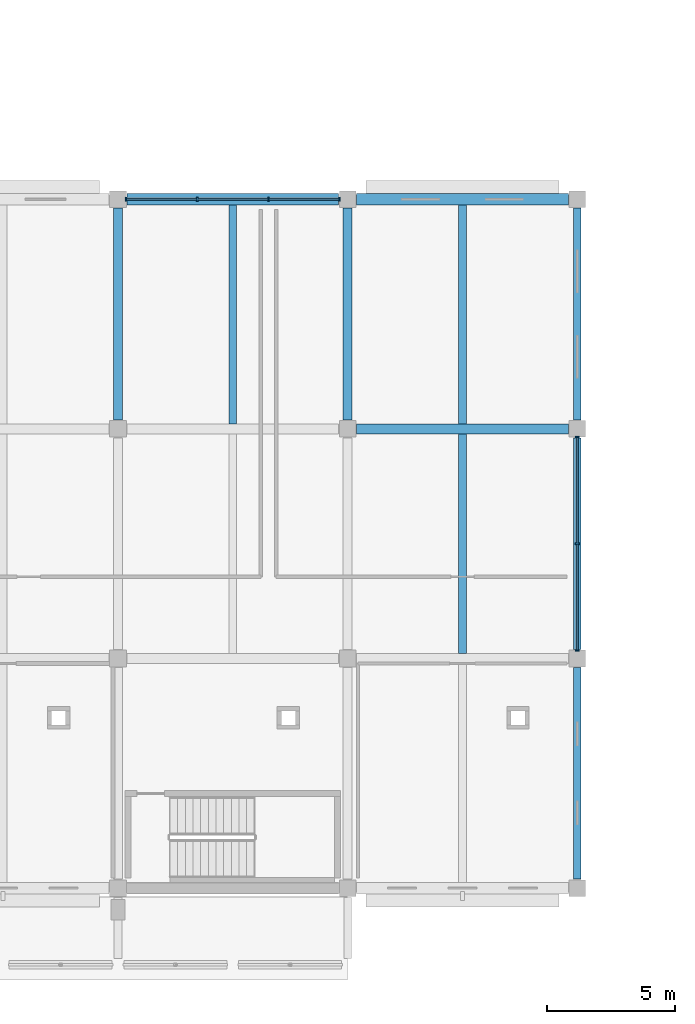
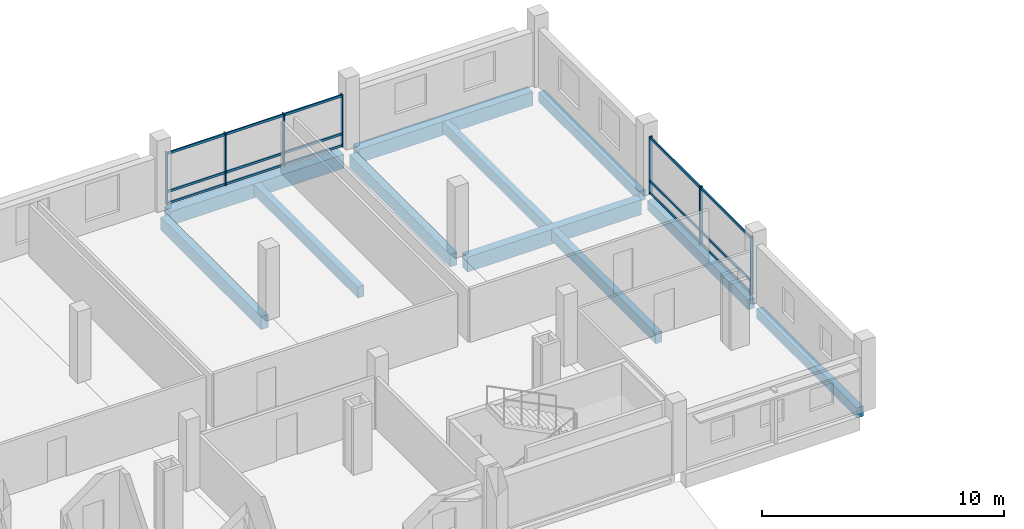
# One storey, part 42 of 132: 22 members, 11 beams, 2 elements without a shape of their own.
"""IFC4 building model written with IfcOpenShell, lengths in metres."""

from ifc_helpers import new_model, si_unit, direction, frame, origin, origin_2d, place, context, subcontext, project, spatial, rectangle, extrude, material, material_profile, profile_set, type_object, element, aggregate, save


model = new_model("IFC4")

# Units and contexts
model_context = context("Model", 3, precision=1e-05, world=origin(), true_north=direction((0.0, 1.0)))
body_context = subcontext(model_context, "Body", "Model", "MODEL_VIEW")
ifc_project = project(units=[si_unit("LENGTHUNIT", "METRE"), si_unit("AREAUNIT", "SQUARE_METRE"), si_unit("VOLUMEUNIT", "CUBIC_METRE"), si_unit("PLANEANGLEUNIT", "RADIAN"), si_unit("MASSUNIT", "GRAM", prefix="KILO")], contexts=[model_context])

# Site, building, storey
site_placement = place(None, origin())
site = spatial("IfcSite", under=ifc_project, at=site_placement, CompositionType="ELEMENT")
building_placement = place(site_placement, origin())
building = spatial("IfcBuilding", under=site, at=building_placement, Name="Tharagai Park Tramway Depot", CompositionType="ELEMENT")
storey_placement = place(building_placement, frame((0.0, 0.0, 4.800048828125)))
storey = spatial("IfcBuildingStorey", under=building, at=storey_placement, Name="L01", CompositionType="ELEMENT", Elevation=4.800048828125)

# Beams
ifc_material_1 = material(Name="Concrete M35", Category="concrete")
ifc_material_profile_1 = material_profile(ifc_material_1, rectangle(XDim=0.35009765625, YDim=0.64990234375, at=origin_2d()), Name="RC 350x650")
ifc_profile_set_1 = profile_set([ifc_material_profile_1], Name="Concrete M35")
beam_type_1 = type_object("IfcBeamType", Name="BM-13", PredefinedType="BEAM", material=ifc_profile_set_1)
for number, where, z_axis, x_axis, name in (
    (1, (81.0, 18.35009765625, -0.574951171875), (0.0, 1.0, 0.0), (-1.0, 0.0, 0.0), "L01 Grid Beam BM-13"),
    (2, (90.0, 18.35009765625, -0.574951171875), (0.0, 1.0, 0.0), (-1.0, 0.0, 0.0), "L01 Grid Beam BM-13"),
):
    element("IfcBeam", number, at=place(storey_placement, frame(where, z_axis=z_axis, x_axis=x_axis)), inside=storey, type_object=beam_type_1, Name=name, PredefinedType="BEAM", context=body_context, shape_type="SweptSolid", body=[
        extrude(rectangle(XDim=0.35009765625, YDim=0.64990234375, at=origin_2d()), origin(), (0.0, 0.0, 1.0), 8.2998046875),
    ])
ifc_material_profile_2 = material_profile(ifc_material_1, rectangle(XDim=0.39990234375, YDim=0.75, at=origin_2d()), Name="RC 400x750")
ifc_profile_set_2 = profile_set([ifc_material_profile_2], Name="Concrete M35")
beam_type_2 = type_object("IfcBeamType", Name="BM-19", PredefinedType="BEAM", material=ifc_profile_set_2)
beam_1_placement = place(storey_placement, frame((90.35009765625, 18.0, -0.625), z_axis=(1.0, 0.0, 0.0), x_axis=(0.0, 1.0, 0.0)))
element("IfcBeam", 3, at=beam_1_placement, inside=storey, type_object=beam_type_2, Name="L01 Grid Beam BM-19", PredefinedType="BEAM", context=body_context, shape_type="SweptSolid", body=[
    extrude(rectangle(XDim=0.39990234375, YDim=0.75, at=origin_2d()), origin(), (0.0, 0.0, 1.0), 8.2998046875),
])

# Curtain wall, members
ifc_material_2 = material(Name="Anodised aluminium", Category="aluminium")
curtain_wall_type_1 = type_object("IfcCurtainWallType", Name="CW-01", PredefinedType="NOTDEFINED", material=ifc_material_2)
curtain_wall_1_placement = place(storey_placement, origin())
curtain_wall_1 = element("IfcCurtainWall", 4, at=curtain_wall_1_placement, inside=storey, type_object=curtain_wall_type_1, Name="L01 V4 Gothic Mullioned Curtain Wall CW-01", PredefinedType="NOTDEFINED")
ifc_material_profile_3 = material_profile(ifc_material_2, rectangle(XDim=0.06494140625, YDim=0.1201171875, at=origin_2d()), Name="ALU 65x120")
ifc_profile_set_3 = profile_set([ifc_material_profile_3], Name="Anodised aluminium")
member_type_1 = type_object("IfcMemberType", Name="CM-01", PredefinedType="USERDEFINED", material=ifc_profile_set_3)
member_1_placement = place(storey_placement, frame((81.330078125, 27.0, 0.06005859375), z_axis=(1.0, 0.0, 0.0), x_axis=(0.0, 1.0, 0.0)))
member_1 = element("IfcMember", 5, at=member_1_placement, type_object=member_type_1, Name="L01 V4 Gothic Mullioned Curtain Wall Transom 1.1", ObjectType="TRANSOM", PredefinedType="USERDEFINED", context=body_context, shape_type="SweptSolid", body=[
    extrude(rectangle(XDim=0.06494140625, YDim=0.1201171875, at=origin_2d()), origin(), (0.0, 0.0, 1.0), 2.760009765625),
])
member_2_placement = place(storey_placement, frame((81.330078125, 27.0, 0.64990234375), z_axis=(1.0, 0.0, 0.0), x_axis=(0.0, 1.0, 0.0)))
member_2 = element("IfcMember", 6, at=member_2_placement, type_object=member_type_1, Name="L01 V4 Gothic Mullioned Curtain Wall Transom 1.2", ObjectType="TRANSOM", PredefinedType="USERDEFINED", context=body_context, shape_type="SweptSolid", body=[
    extrude(rectangle(XDim=0.06494140625, YDim=0.1201171875, at=origin_2d()), origin(), (0.0, 0.0, 1.0), 2.760009765625),
])
member_3_placement = place(storey_placement, frame((81.330078125, 27.0, 2.570068359375), z_axis=(1.0, 0.0, 0.0), x_axis=(0.0, 1.0, 0.0)))
member_3 = element("IfcMember", 7, at=member_3_placement, type_object=member_type_1, Name="L01 V4 Gothic Mullioned Curtain Wall Transom 1.3", ObjectType="TRANSOM", PredefinedType="USERDEFINED", context=body_context, shape_type="SweptSolid", body=[
    extrude(rectangle(XDim=0.06494140625, YDim=0.1201171875, at=origin_2d()), origin(), (0.0, 0.0, 1.0), 2.760009765625),
])
member_4_placement = place(storey_placement, frame((84.1201171875, 27.0, 0.06005859375), z_axis=(1.0, 0.0, 0.0), x_axis=(0.0, 1.0, 0.0)))
member_4 = element("IfcMember", 8, at=member_4_placement, type_object=member_type_1, Name="L01 V4 Gothic Mullioned Curtain Wall Transom 2.1", ObjectType="TRANSOM", PredefinedType="USERDEFINED", context=body_context, shape_type="SweptSolid", body=[
    extrude(rectangle(XDim=0.06494140625, YDim=0.1201171875, at=origin_2d()), origin(), (0.0, 0.0, 1.0), 2.759765625),
])
member_5_placement = place(storey_placement, frame((84.1201171875, 27.0, 0.64990234375), z_axis=(1.0, 0.0, 0.0), x_axis=(0.0, 1.0, 0.0)))
member_5 = element("IfcMember", 9, at=member_5_placement, type_object=member_type_1, Name="L01 V4 Gothic Mullioned Curtain Wall Transom 2.2", ObjectType="TRANSOM", PredefinedType="USERDEFINED", context=body_context, shape_type="SweptSolid", body=[
    extrude(rectangle(XDim=0.06494140625, YDim=0.1201171875, at=origin_2d()), origin(), (0.0, 0.0, 1.0), 2.759765625),
])
member_6_placement = place(storey_placement, frame((84.1201171875, 27.0, 2.570068359375), z_axis=(1.0, 0.0, 0.0), x_axis=(0.0, 1.0, 0.0)))
member_6 = element("IfcMember", 10, at=member_6_placement, type_object=member_type_1, Name="L01 V4 Gothic Mullioned Curtain Wall Transom 2.3", ObjectType="TRANSOM", PredefinedType="USERDEFINED", context=body_context, shape_type="SweptSolid", body=[
    extrude(rectangle(XDim=0.06494140625, YDim=0.1201171875, at=origin_2d()), origin(), (0.0, 0.0, 1.0), 2.759765625),
])
member_7_placement = place(storey_placement, frame((86.909912109375, 27.0, 0.06005859375), z_axis=(1.0, 0.0, 0.0), x_axis=(0.0, 1.0, 0.0)))
member_7 = element("IfcMember", 11, at=member_7_placement, type_object=member_type_1, Name="L01 V4 Gothic Mullioned Curtain Wall Transom 3.1", ObjectType="TRANSOM", PredefinedType="USERDEFINED", context=body_context, shape_type="SweptSolid", body=[
    extrude(rectangle(XDim=0.06494140625, YDim=0.1201171875, at=origin_2d()), origin(), (0.0, 0.0, 1.0), 2.760009765625),
])
member_8_placement = place(storey_placement, frame((86.909912109375, 27.0, 0.64990234375), z_axis=(1.0, 0.0, 0.0), x_axis=(0.0, 1.0, 0.0)))
member_8 = element("IfcMember", 12, at=member_8_placement, type_object=member_type_1, Name="L01 V4 Gothic Mullioned Curtain Wall Transom 3.2", ObjectType="TRANSOM", PredefinedType="USERDEFINED", context=body_context, shape_type="SweptSolid", body=[
    extrude(rectangle(XDim=0.06494140625, YDim=0.1201171875, at=origin_2d()), origin(), (0.0, 0.0, 1.0), 2.760009765625),
])
member_9_placement = place(storey_placement, frame((86.909912109375, 27.0, 2.570068359375), z_axis=(1.0, 0.0, 0.0), x_axis=(0.0, 1.0, 0.0)))
member_9 = element("IfcMember", 13, at=member_9_placement, type_object=member_type_1, Name="L01 V4 Gothic Mullioned Curtain Wall Transom 3.3", ObjectType="TRANSOM", PredefinedType="USERDEFINED", context=body_context, shape_type="SweptSolid", body=[
    extrude(rectangle(XDim=0.06494140625, YDim=0.1201171875, at=origin_2d()), origin(), (0.0, 0.0, 1.0), 2.760009765625),
])

curtain_wall_type_2 = type_object("IfcCurtainWallType", Name="CW-07", PredefinedType="NOTDEFINED", material=ifc_material_2)
curtain_wall_2_placement = place(storey_placement, origin())
curtain_wall_2 = element("IfcCurtainWall", 14, at=curtain_wall_2_placement, inside=storey, type_object=curtain_wall_type_2, Name="L01 V4 Side Mullioned Curtain Wall CW-07", PredefinedType="NOTDEFINED")
member_10_placement = place(storey_placement, frame((99.0, 9.330078125, 0.06005859375), z_axis=(0.0, 1.0, 0.0), x_axis=(-1.0, 0.0, 0.0)))
member_10 = element("IfcMember", 15, at=member_10_placement, type_object=member_type_1, Name="L01 V4 Side Mullioned Curtain Wall Transom 1.1", ObjectType="TRANSOM", PredefinedType="USERDEFINED", context=body_context, shape_type="SweptSolid", body=[
    extrude(rectangle(XDim=0.06494140625, YDim=0.1201171875, at=origin_2d()), origin(), (0.0, 0.0, 1.0), 4.155029296875),
])
member_11_placement = place(storey_placement, frame((99.0, 9.330078125, 0.64990234375), z_axis=(0.0, 1.0, 0.0), x_axis=(-1.0, 0.0, 0.0)))
member_11 = element("IfcMember", 16, at=member_11_placement, type_object=member_type_1, Name="L01 V4 Side Mullioned Curtain Wall Transom 1.2", ObjectType="TRANSOM", PredefinedType="USERDEFINED", context=body_context, shape_type="SweptSolid", body=[
    extrude(rectangle(XDim=0.06494140625, YDim=0.1201171875, at=origin_2d()), origin(), (0.0, 0.0, 1.0), 4.155029296875),
])
member_12_placement = place(storey_placement, frame((99.0, 9.330078125, 2.829833984375), z_axis=(0.0, 1.0, 0.0), x_axis=(-1.0, 0.0, 0.0)))
member_12 = element("IfcMember", 17, at=member_12_placement, type_object=member_type_1, Name="L01 V4 Side Mullioned Curtain Wall Transom 1.3", ObjectType="TRANSOM", PredefinedType="USERDEFINED", context=body_context, shape_type="SweptSolid", body=[
    extrude(rectangle(XDim=0.06494140625, YDim=0.1201171875, at=origin_2d()), origin(), (0.0, 0.0, 1.0), 4.155029296875),
])
member_13_placement = place(storey_placement, frame((99.0, 13.514892578125, 0.06005859375), z_axis=(0.0, 1.0, 0.0), x_axis=(-1.0, 0.0, 0.0)))
member_13 = element("IfcMember", 18, at=member_13_placement, type_object=member_type_1, Name="L01 V4 Side Mullioned Curtain Wall Transom 2.1", ObjectType="TRANSOM", PredefinedType="USERDEFINED", context=body_context, shape_type="SweptSolid", body=[
    extrude(rectangle(XDim=0.06494140625, YDim=0.1201171875, at=origin_2d()), origin(), (0.0, 0.0, 1.0), 4.155029296875),
])
member_14_placement = place(storey_placement, frame((99.0, 13.514892578125, 0.64990234375), z_axis=(0.0, 1.0, 0.0), x_axis=(-1.0, 0.0, 0.0)))
member_14 = element("IfcMember", 19, at=member_14_placement, type_object=member_type_1, Name="L01 V4 Side Mullioned Curtain Wall Transom 2.2", ObjectType="TRANSOM", PredefinedType="USERDEFINED", context=body_context, shape_type="SweptSolid", body=[
    extrude(rectangle(XDim=0.06494140625, YDim=0.1201171875, at=origin_2d()), origin(), (0.0, 0.0, 1.0), 4.155029296875),
])
member_15_placement = place(storey_placement, frame((99.0, 13.514892578125, 2.829833984375), z_axis=(0.0, 1.0, 0.0), x_axis=(-1.0, 0.0, 0.0)))
member_15 = element("IfcMember", 20, at=member_15_placement, type_object=member_type_1, Name="L01 V4 Side Mullioned Curtain Wall Transom 2.3", ObjectType="TRANSOM", PredefinedType="USERDEFINED", context=body_context, shape_type="SweptSolid", body=[
    extrude(rectangle(XDim=0.06494140625, YDim=0.1201171875, at=origin_2d()), origin(), (0.0, 0.0, 1.0), 4.155029296875),
])

# Member
ifc_material_profile_4 = material_profile(ifc_material_2, rectangle(XDim=0.06494140625, YDim=0.14990234375, at=origin_2d()), Name="ALU 65x150")
ifc_profile_set_4 = profile_set([ifc_material_profile_4], Name="Anodised aluminium")
member_type_2 = type_object("IfcMemberType", Name="CM-03", PredefinedType="MULLION", material=ifc_profile_set_4)
member_16_placement = place(storey_placement, frame((81.31494140625, 27.0, -0.005126953125), z_axis=(0.0, 0.0, 1.0), x_axis=(1.0, 0.0, 0.0)))
member_16 = element("IfcMember", 21, at=member_16_placement, type_object=member_type_2, Name="L01 V4 Gothic Mullioned Curtain Wall Mullion 1", PredefinedType="MULLION", context=body_context, shape_type="SweptSolid", body=[
    extrude(rectangle(XDim=0.06494140625, YDim=0.14990234375, at=origin_2d()), origin(), (0.0, 0.0, 1.0), 2.66015625),
])

member_17_placement = place(storey_placement, frame((84.10498046875, 27.0, -0.005126953125), z_axis=(0.0, 0.0, 1.0), x_axis=(1.0, 0.0, 0.0)))
member_17 = element("IfcMember", 22, at=member_17_placement, type_object=member_type_2, Name="L01 V4 Gothic Mullioned Curtain Wall Mullion 2", PredefinedType="MULLION", context=body_context, shape_type="SweptSolid", body=[
    extrude(rectangle(XDim=0.06494140625, YDim=0.14990234375, at=origin_2d()), origin(), (0.0, 0.0, 1.0), 2.66015625),
])

member_18_placement = place(storey_placement, frame((86.89501953125, 27.0, -0.005126953125), z_axis=(0.0, 0.0, 1.0), x_axis=(1.0, 0.0, 0.0)))
member_18 = element("IfcMember", 23, at=member_18_placement, type_object=member_type_2, Name="L01 V4 Gothic Mullioned Curtain Wall Mullion 3", PredefinedType="MULLION", context=body_context, shape_type="SweptSolid", body=[
    extrude(rectangle(XDim=0.06494140625, YDim=0.14990234375, at=origin_2d()), origin(), (0.0, 0.0, 1.0), 2.66015625),
])

member_19_placement = place(storey_placement, frame((89.68505859375, 27.0, -0.005126953125), z_axis=(0.0, 0.0, 1.0), x_axis=(1.0, 0.0, 0.0)))
member_19 = element("IfcMember", 24, at=member_19_placement, type_object=member_type_2, Name="L01 V4 Gothic Mullioned Curtain Wall Mullion 4", PredefinedType="MULLION", context=body_context, shape_type="SweptSolid", body=[
    extrude(rectangle(XDim=0.06494140625, YDim=0.14990234375, at=origin_2d()), origin(), (0.0, 0.0, 1.0), 2.66015625),
])

aggregate(curtain_wall_1, [member_16, member_17, member_18, member_19, member_1, member_2, member_3, member_4, member_5, member_6, member_7, member_8, member_9])

member_20_placement = place(storey_placement, frame((99.0, 9.31494140625, -0.005126953125), z_axis=(0.0, 0.0, 1.0), x_axis=(0.0, 1.0, 0.0)))
member_20 = element("IfcMember", 25, at=member_20_placement, type_object=member_type_2, Name="L01 V4 Side Mullioned Curtain Wall Mullion 1", PredefinedType="MULLION", context=body_context, shape_type="SweptSolid", body=[
    extrude(rectangle(XDim=0.06494140625, YDim=0.14990234375, at=origin_2d()), origin(), (0.0, 0.0, 1.0), 2.920166015625),
])

member_21_placement = place(storey_placement, frame((99.0, 13.5, -0.005126953125), z_axis=(0.0, 0.0, 1.0), x_axis=(0.0, 1.0, 0.0)))
member_21 = element("IfcMember", 26, at=member_21_placement, type_object=member_type_2, Name="L01 V4 Side Mullioned Curtain Wall Mullion 2", PredefinedType="MULLION", context=body_context, shape_type="SweptSolid", body=[
    extrude(rectangle(XDim=0.06494140625, YDim=0.14990234375, at=origin_2d()), origin(), (0.0, 0.0, 1.0), 2.920166015625),
])

member_22_placement = place(storey_placement, frame((99.0, 17.68505859375, -0.005126953125), z_axis=(0.0, 0.0, 1.0), x_axis=(0.0, 1.0, 0.0)))
member_22 = element("IfcMember", 27, at=member_22_placement, type_object=member_type_2, Name="L01 V4 Side Mullioned Curtain Wall Mullion 3", PredefinedType="MULLION", context=body_context, shape_type="SweptSolid", body=[
    extrude(rectangle(XDim=0.06494140625, YDim=0.14990234375, at=origin_2d()), origin(), (0.0, 0.0, 1.0), 2.920166015625),
])

aggregate(curtain_wall_2, [member_20, member_21, member_22, member_10, member_11, member_12, member_13, member_14, member_15])

# Beams
ifc_material_profile_5 = material_profile(ifc_material_1, rectangle(XDim=0.300048828125, YDim=0.550048828125, at=origin_2d()), Name="RC 300x550")
ifc_profile_set_5 = profile_set([ifc_material_profile_5], Name="Concrete M35")
beam_type_3 = type_object("IfcBeamType", Name="JT-06", PredefinedType="JOIST", material=ifc_profile_set_5)
beam_2_placement = place(storey_placement, frame((85.5, 18.199951171875, -0.525146484375), z_axis=(0.0, 1.0, 0.0), x_axis=(-1.0, 0.0, 0.0)))
element("IfcBeam", 28, at=beam_2_placement, inside=storey, type_object=beam_type_3, Name="L01 Secondary Joist JT-06", PredefinedType="JOIST", context=body_context, shape_type="SweptSolid", body=[
    extrude(rectangle(XDim=0.300048828125, YDim=0.550048828125, at=origin_2d()), origin(), (0.0, 0.0, 1.0), 8.574951171875),
])
beam_3_placement = place(storey_placement, frame((94.5, 9.199951171875, -0.525146484375), z_axis=(0.0, 1.0, 0.0), x_axis=(-1.0, 0.0, 0.0)))
element("IfcBeam", 29, at=beam_3_placement, inside=storey, type_object=beam_type_3, Name="L01 Secondary Joist JT-06", PredefinedType="JOIST", context=body_context, shape_type="SweptSolid", body=[
    extrude(rectangle(XDim=0.300048828125, YDim=0.550048828125, at=origin_2d()), origin(), (0.0, 0.0, 1.0), 8.60009765625),
])
beam_4_placement = place(storey_placement, frame((94.5, 18.199951171875, -0.525146484375), z_axis=(0.0, 1.0, 0.0), x_axis=(-1.0, 0.0, 0.0)))
element("IfcBeam", 30, at=beam_4_placement, inside=storey, type_object=beam_type_3, Name="L01 Secondary Joist JT-06", PredefinedType="JOIST", context=body_context, shape_type="SweptSolid", body=[
    extrude(rectangle(XDim=0.300048828125, YDim=0.550048828125, at=origin_2d()), origin(), (0.0, 0.0, 1.0), 8.574951171875),
])
ifc_material_profile_6 = material_profile(ifc_material_1, rectangle(XDim=0.449951171875, YDim=0.699951171875, at=origin_2d()), Name="RC 450x700")
ifc_profile_set_6 = profile_set([ifc_material_profile_6], Name="Concrete M35")
beam_type_4 = type_object("IfcBeamType", Name="SP-01", PredefinedType="SPANDREL", material=ifc_profile_set_6)
for number, where, z_axis, x_axis, name in (
    (31, (81.35009765625, 27.0, -0.60009765625), (1.0, 0.0, 0.0), (0.0, 1.0, 0.0), "L01 Grid Beam SP-01"),
    (32, (90.35009765625, 27.0, -0.60009765625), (1.0, 0.0, 0.0), (0.0, 1.0, 0.0), "L01 Grid Beam SP-01"),
):
    element("IfcBeam", number, at=place(storey_placement, frame(where, z_axis=z_axis, x_axis=x_axis)), inside=storey, type_object=beam_type_4, Name=name, PredefinedType="SPANDREL", context=body_context, shape_type="SweptSolid", body=[
        extrude(rectangle(XDim=0.449951171875, YDim=0.699951171875, at=origin_2d()), origin(), (0.0, 0.0, 1.0), 8.2998046875),
    ])
ifc_material_profile_7 = material_profile(ifc_material_1, rectangle(XDim=0.300048828125, YDim=0.5, at=origin_2d()), Name="RC 300x500")
ifc_profile_set_7 = profile_set([ifc_material_profile_7], Name="Concrete M35")
beam_type_5 = type_object("IfcBeamType", Name="SP-03", PredefinedType="SPANDREL", material=ifc_profile_set_7)
for number, where, z_axis, x_axis, name in (
    (33, (99.0, 0.35009765625, -0.5), (0.0, 1.0, 0.0), (-1.0, 0.0, 0.0), "L01 Grid Beam SP-03"),
    (34, (99.0, 9.35009765625, -0.5), (0.0, 1.0, 0.0), (-1.0, 0.0, 0.0), "L01 Grid Beam SP-03"),
    (35, (99.0, 18.35009765625, -0.5), (0.0, 1.0, 0.0), (-1.0, 0.0, 0.0), "L01 Grid Beam SP-03"),
):
    element("IfcBeam", number, at=place(storey_placement, frame(where, z_axis=z_axis, x_axis=x_axis)), inside=storey, type_object=beam_type_5, Name=name, PredefinedType="SPANDREL", context=body_context, shape_type="SweptSolid", body=[
        extrude(rectangle(XDim=0.300048828125, YDim=0.5, at=origin_2d()), origin(), (0.0, 0.0, 1.0), 8.2998046875),
    ])

save(model, "model.ifc")
